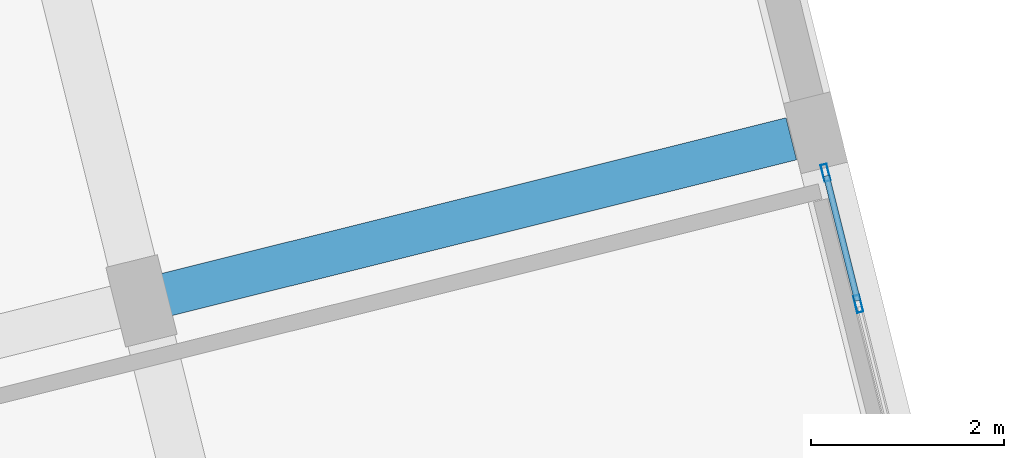
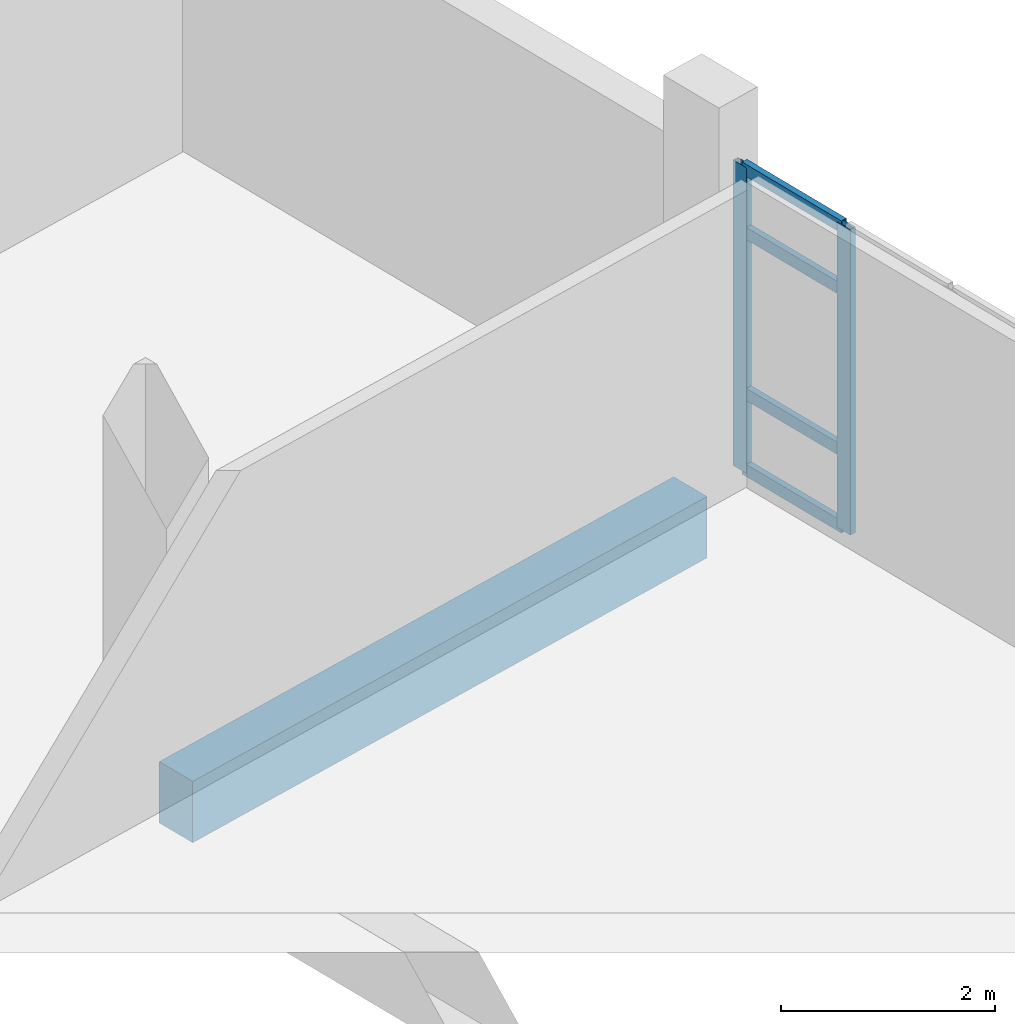
# One storey, part 113 of 164: 6 members, 1 beam, 1 element without a shape of its own.
"""IFC4 building model written with IfcOpenShell, lengths in metres."""

from ifc_helpers import new_model, si_unit, direction, frame, origin, origin_2d, place, context, subcontext, project, spatial, rectangle, hollow_rectangle, extrude, material, layer, layer_set, material_profile, profile_set, type_object, element, aggregate, save


model = new_model("IFC4")

# Units and contexts
model_context = context("Model", 3, precision=1e-05, world=origin(), true_north=direction((0.0, 1.0)))
body_context = subcontext(model_context, "Body", "Model", "MODEL_VIEW")
ifc_project = project(units=[si_unit("LENGTHUNIT", "METRE"), si_unit("AREAUNIT", "SQUARE_METRE"), si_unit("VOLUMEUNIT", "CUBIC_METRE"), si_unit("PLANEANGLEUNIT", "RADIAN"), si_unit("MASSUNIT", "GRAM", prefix="KILO")], contexts=[model_context])

# Site, building, storey
site_placement = place(None, origin())
site = spatial("IfcSite", under=ifc_project, at=site_placement, CompositionType="ELEMENT")
building_placement = place(site_placement, origin())
building = spatial("IfcBuilding", under=site, at=building_placement, Name="Mawjan Specialist Oncology Clinic", CompositionType="ELEMENT")
storey_placement = place(building_placement, frame((0.0, 0.0, 5.0)))
storey = spatial("IfcBuildingStorey", under=building, at=storey_placement, Name="L01", CompositionType="ELEMENT", Elevation=5.0)

# Beam
ifc_material_1 = material(Name="Concrete C40/50", Category="concrete")
ifc_material_profile_1 = material_profile(ifc_material_1, rectangle(XDim=0.449951171875, YDim=0.699951171875, at=origin_2d()), Name="RC BM 450x700", Category="concrete")
ifc_profile_set_1 = profile_set([ifc_material_profile_1], Name="Concrete C40/50")
beam_type = type_object("IfcBeamType", Name="BM-450x700", PredefinedType="BEAM", material=ifc_profile_set_1)
beam_placement = place(storey_placement, frame((141.404541015625, 29.37548828125, -0.64990234375), z_axis=(0.970299236251, 0.241907817422, 0.0), x_axis=(-0.241907817422, 0.970299236251, 0.0)))
element("IfcBeam", 1, at=beam_placement, inside=storey, type_object=beam_type, Name="L01 Collector Beam BM-L01-0603", PredefinedType="BEAM", context=body_context, shape_type="SweptSolid", body=[
    extrude(rectangle(XDim=0.449951171875, YDim=0.699951171875, at=origin_2d()), origin(), (0.0, 0.0, 1.0), 6.68017578125),
])

# Curtain wall, members
ifc_material_2 = material(Name="Unitised spectrally selective aluminium curtain wall", Category="aluminium")
ifc_layer = layer(ifc_material_2, 0.179931640625, Name="Unitised spectrally selective aluminium curtain wall", Category="aluminium")
ifc_layer_set = layer_set([ifc_layer], Name="Unitised spectrally selective aluminium curtain wall")
curtain_wall_type = type_object("IfcCurtainWallType", Name="CW-51", PredefinedType="NOTDEFINED", material=ifc_layer_set)
curtain_wall_placement = place(storey_placement, origin())
curtain_wall = element("IfcCurtainWall", 2, at=curtain_wall_placement, inside=storey, type_object=curtain_wall_type, Name="L01 Unitised Curtain Wall CW-L01-096", PredefinedType="NOTDEFINED")
ifc_material_3 = material(Name="Thermally broken aluminium 6063-T6", Category="aluminium")
ifc_material_profile_2 = material_profile(ifc_material_3, hollow_rectangle(XDim=0.06494140625, YDim=0.179931640625, WallThickness=0.00390625, at=origin_2d()), Name="ALU MULLION 180x65x4", Category="aluminium")
ifc_profile_set_2 = profile_set([ifc_material_profile_2], Name="Thermally broken aluminium 6063-T6")
member_type_1 = type_object("IfcMemberType", Name="CW-M180", PredefinedType="MULLION", material=ifc_profile_set_2)
member_1_placement = place(storey_placement, frame((148.24169921875, 30.6396484375, 0.0), z_axis=(0.0, 0.0, 1.0), x_axis=(0.970295690935, 0.241922037344, 0.0)))
member_1 = element("IfcMember", 3, at=member_1_placement, type_object=member_type_1, Name="CW-51 mullion 1", PredefinedType="MULLION", context=body_context, shape_type="SweptSolid", body=[
    extrude(hollow_rectangle(XDim=0.06494140625, YDim=0.179931640625, WallThickness=0.00390625, at=origin_2d()), origin(), (0.0, 0.0, 1.0), 3.485107421875),
])
member_2_placement = place(storey_placement, frame((148.580322265625, 29.28173828125, 0.0), z_axis=(0.0, 0.0, 1.0), x_axis=(0.970295690935, 0.241922037344, 0.0)))
member_2 = element("IfcMember", 4, at=member_2_placement, type_object=member_type_1, Name="CW-51 mullion 2", PredefinedType="MULLION", context=body_context, shape_type="SweptSolid", body=[
    extrude(hollow_rectangle(XDim=0.06494140625, YDim=0.179931640625, WallThickness=0.00390625, at=origin_2d()), origin(), (0.0, 0.0, 1.0), 3.485107421875),
])
ifc_material_4 = material(Name="Thermally broken aluminium 6063-T6", Category="aluminium")
ifc_material_profile_3 = material_profile(ifc_material_4, hollow_rectangle(XDim=0.06494140625, YDim=0.139892578125, WallThickness=0.00390625, at=origin_2d()), Name="ALU TRANSOM 140x65x4", Category="aluminium")
ifc_profile_set_3 = profile_set([ifc_material_profile_3], Name="Thermally broken aluminium 6063-T6")
member_type_2 = type_object("IfcMemberType", Name="CW-T140", PredefinedType="USERDEFINED", material=ifc_profile_set_3)
member_3_placement = place(storey_placement, frame((148.249755859375, 30.608154296875, 0.032470703125), z_axis=(0.241846848147, -0.970314434625, 0.0), x_axis=(0.970314434625, 0.241846848147, 0.0)))
member_3 = element("IfcMember", 5, at=member_3_placement, type_object=member_type_2, Name="CW-51 transom 1.1", ObjectType="TRANSOM", PredefinedType="USERDEFINED", context=body_context, shape_type="SweptSolid", body=[
    extrude(hollow_rectangle(XDim=0.06494140625, YDim=0.139892578125, WallThickness=0.00390625, at=origin_2d()), origin(), (0.0, 0.0, 1.0), 1.33447265625),
])
member_4_placement = place(storey_placement, frame((148.249755859375, 30.608154296875, 0.89990234375), z_axis=(0.241846848147, -0.970314434625, 0.0), x_axis=(0.970314434625, 0.241846848147, 0.0)))
member_4 = element("IfcMember", 6, at=member_4_placement, type_object=member_type_2, Name="CW-51 transom 1.2", ObjectType="TRANSOM", PredefinedType="USERDEFINED", context=body_context, shape_type="SweptSolid", body=[
    extrude(hollow_rectangle(XDim=0.06494140625, YDim=0.139892578125, WallThickness=0.00390625, at=origin_2d()), origin(), (0.0, 0.0, 1.0), 1.33447265625),
])
member_5_placement = place(storey_placement, frame((148.249755859375, 30.608154296875, 2.735107421875), z_axis=(0.241846848147, -0.970314434625, 0.0), x_axis=(0.970314434625, 0.241846848147, 0.0)))
member_5 = element("IfcMember", 7, at=member_5_placement, type_object=member_type_2, Name="CW-51 transom 1.3", ObjectType="TRANSOM", PredefinedType="USERDEFINED", context=body_context, shape_type="SweptSolid", body=[
    extrude(hollow_rectangle(XDim=0.06494140625, YDim=0.139892578125, WallThickness=0.00390625, at=origin_2d()), origin(), (0.0, 0.0, 1.0), 1.33447265625),
])
member_6_placement = place(storey_placement, frame((148.249755859375, 30.608154296875, 3.452392578125), z_axis=(0.241846848147, -0.970314434625, 0.0), x_axis=(0.970314434625, 0.241846848147, 0.0)))
member_6 = element("IfcMember", 8, at=member_6_placement, type_object=member_type_2, Name="CW-51 transom 1.4", ObjectType="TRANSOM", PredefinedType="USERDEFINED", context=body_context, shape_type="SweptSolid", body=[
    extrude(hollow_rectangle(XDim=0.06494140625, YDim=0.139892578125, WallThickness=0.00390625, at=origin_2d()), origin(), (0.0, 0.0, 1.0), 1.33447265625),
])
aggregate(curtain_wall, [member_1, member_2, member_3, member_4, member_5, member_6])

save(model, "model.ifc")
